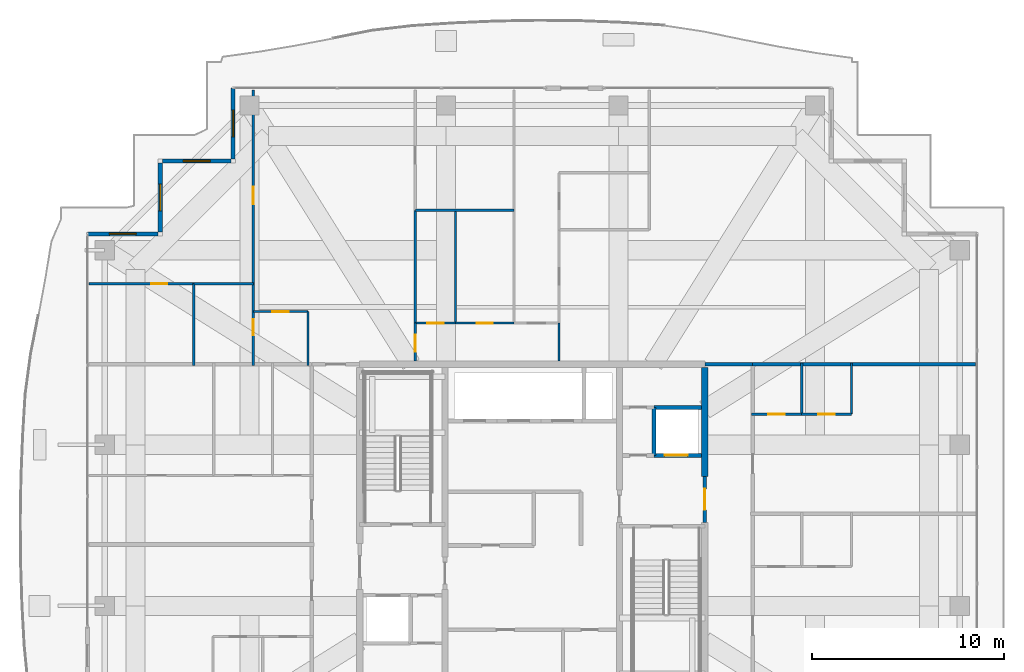
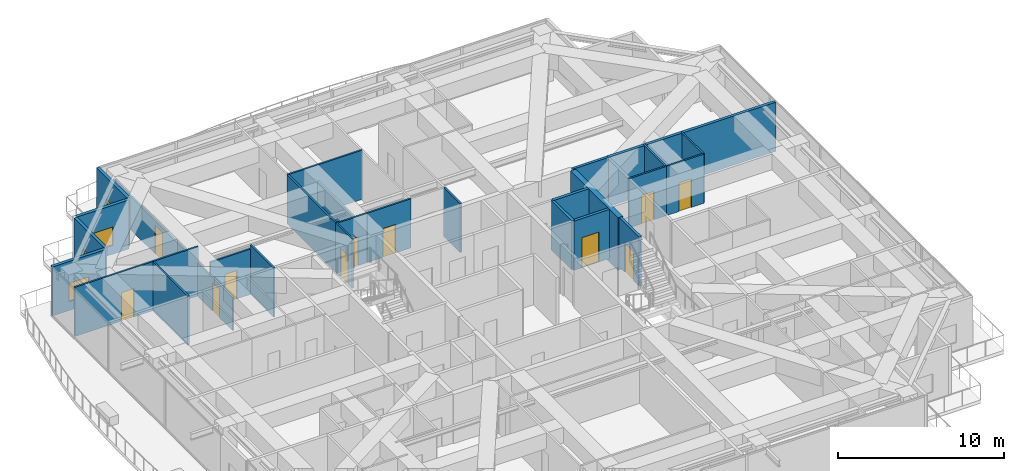
# One storey, part 32 of 40: 29 walls, 11 doors, 4 windows, 15 openings.
"""IFC4 building model written with IfcOpenShell, lengths in metres."""

from ifc_helpers import new_model, si_unit, direction, frame, frame_2d, origin, place, context, subcontext, project, spatial, rectangle, extrude, source, transform, mapped, material, layer, layer_set, type_object, element, fill, save


model = new_model("IFC4")

# Units and contexts
model_context = context("Model", 3, precision=1e-05, world=origin(), true_north=direction((0.0, 1.0)))
body_context = subcontext(model_context, "Body", "Model", "MODEL_VIEW")
ifc_project = project(units=[si_unit("LENGTHUNIT", "METRE"), si_unit("AREAUNIT", "SQUARE_METRE"), si_unit("VOLUMEUNIT", "CUBIC_METRE"), si_unit("PLANEANGLEUNIT", "RADIAN"), si_unit("MASSUNIT", "GRAM", prefix="KILO")], contexts=[model_context])

# Site, building, storey
site_placement = place(None, origin())
site = spatial("IfcSite", under=ifc_project, at=site_placement, CompositionType="ELEMENT")
building_placement = place(site_placement, origin())
building = spatial("IfcBuilding", under=site, at=building_placement, Name="Serunith Strait Residences", CompositionType="ELEMENT")
storey_placement = place(building_placement, frame((0.0, 0.0, 333.949951171875)))
storey = spatial("IfcBuildingStorey", under=building, at=storey_placement, Name="L83", CompositionType="ELEMENT", Elevation=333.949951171875)

# Wall, opening, window
ifc_material_1 = material(Name="Pale-Champagne Aluminium Insulated Panel", Category="aluminium")
ifc_layer_1 = layer(ifc_material_1, 0.219970703125, Name="Pale-Champagne Aluminium Insulated Panel")
ifc_layer_set_1 = layer_set([ifc_layer_1], Name="Pale-Champagne Aluminium Insulated Panel")
wall_type_1 = type_object("IfcWallType", Name="EW-ALUM-220", PredefinedType="ELEMENTEDWALL", material=ifc_layer_set_1)
wall_1_placement = place(storey_placement, frame((16.800048828125, 48.0, 0.0), z_axis=(0.0, 0.0, 1.0), x_axis=(0.0, -1.0, 0.0)))
wall_1 = element("IfcWall", 1, at=wall_1_placement, inside=storey, type_object=wall_type_1, Name="L83 Girih Serrated Corner Wall 12", PredefinedType="ELEMENTEDWALL", context=body_context, shape_type="SweptSolid", body=[
    extrude(rectangle(XDim=3.68994140625, YDim=0.219970703125, at=frame_2d((1.844970703125, 0.0))), origin(), (0.0, 0.0, 1.0), 3.594970703125),
])
opening_1_placement = place(wall_1_placement, frame((1.14501953125, 0.0, 0.64990234375)))
opening_1 = element("IfcOpeningElement", 2, at=opening_1_placement, cuts=wall_1, Name="Opening W-09", PredefinedType="OPENING", context=body_context, shape_type="SweptSolid", body=[
    extrude(rectangle(XDim=1.39990234375, YDim=1.35009765625, at=frame_2d((0.699951171875, 0.675048828125))), frame((0.0, 0.1201171875, 0.0), z_axis=(0.0, -1.0, 0.0), x_axis=(1.0, 0.0, 0.0)), (0.0, 0.0, 1.0), 0.239990234375),
])
ifc_material_2 = material(Name="Setback Spandrel Ceramic-Fritted Operable Window Glass", Category="glass")
window_type = type_object("IfcWindowType", Name="WIN-C7", PartitioningType="DOUBLE_PANEL_VERTICAL", PredefinedType="WINDOW", material=ifc_material_2)
shared_shape_1 = source(origin(), body_context, "Body", "SweptSolid", [
    extrude(rectangle(XDim=1.39990234375, YDim=1.35009765625, at=frame_2d((0.699951171875, 0.675048828125))), frame((0.0, 0.030029296875, 0.0), z_axis=(0.0, -1.0, 0.0), x_axis=(1.0, 0.0, 0.0)), (0.0, 0.0, 1.0), 0.06005859375),
])
window_1_placement = place(opening_1_placement, origin())
window_1 = element("IfcWindow", 3, at=window_1_placement, inside=storey, type_object=window_type, Name="L83 Corner Operable Fritted Window 12", OverallHeight=1.35009765625, OverallWidth=1.39990234375, PartitioningType="SINGLE_PANEL", PredefinedType="WINDOW", context=body_context, shape_type="MappedRepresentation", body=[
    mapped(shared_shape_1, transform((0.0, 0.0, 0.0), scale=1.0)),
])
fill(opening_1, window_1)

wall_2_placement = place(storey_placement, frame((16.68994140625, 44.199951171875, 0.0), z_axis=(0.0, 0.0, 1.0), x_axis=(-1.0, 0.0, 0.0)))
wall_2 = element("IfcWall", 4, at=wall_2_placement, inside=storey, type_object=wall_type_1, Name="L83 Girih Serrated Corner Wall 13", PredefinedType="ELEMENTEDWALL", context=body_context, shape_type="SweptSolid", body=[
    extrude(rectangle(XDim=3.579833984375, YDim=0.219970703125, at=frame_2d((1.7900390625, 0.0))), origin(), (0.0, 0.0, 1.0), 3.594970703125),
])
opening_2_placement = place(wall_2_placement, frame((1.090087890625, 0.0, 0.64990234375)))
opening_2 = element("IfcOpeningElement", 5, at=opening_2_placement, cuts=wall_2, Name="Opening W-09", PredefinedType="OPENING", context=body_context, shape_type="SweptSolid", body=[
    extrude(rectangle(XDim=1.39990234375, YDim=1.35009765625, at=frame_2d((0.699951171875, 0.675048828125))), frame((0.0, 0.1201171875, 0.0), z_axis=(0.0, -1.0, 0.0), x_axis=(1.0, 0.0, 0.0)), (0.0, 0.0, 1.0), 0.239990234375),
])
window_2_placement = place(opening_2_placement, origin())
window_2 = element("IfcWindow", 6, at=window_2_placement, inside=storey, type_object=window_type, Name="L83 Corner Operable Fritted Window 13", OverallHeight=1.35009765625, OverallWidth=1.39990234375, PartitioningType="SINGLE_PANEL", PredefinedType="WINDOW", context=body_context, shape_type="MappedRepresentation", body=[
    mapped(shared_shape_1, transform((0.0, 0.0, 0.0), scale=1.0)),
])
fill(opening_2, window_2)

wall_3_placement = place(storey_placement, frame((13.0, 44.090087890625, 0.0), z_axis=(0.0, 0.0, 1.0), x_axis=(0.0, -1.0, 0.0)))
wall_3 = element("IfcWall", 7, at=wall_3_placement, inside=storey, type_object=wall_type_1, Name="L83 Girih Serrated Corner Wall 14", PredefinedType="ELEMENTEDWALL", context=body_context, shape_type="SweptSolid", body=[
    extrude(rectangle(XDim=3.580078125, YDim=0.219970703125, at=frame_2d((1.7900390625, 0.0))), origin(), (0.0, 0.0, 1.0), 3.594970703125),
])
opening_3_placement = place(wall_3_placement, frame((1.090087890625, 0.0, 0.64990234375)))
opening_3 = element("IfcOpeningElement", 8, at=opening_3_placement, cuts=wall_3, Name="Opening W-09", PredefinedType="OPENING", context=body_context, shape_type="SweptSolid", body=[
    extrude(rectangle(XDim=1.39990234375, YDim=1.35009765625, at=frame_2d((0.699951171875, 0.675048828125))), frame((0.0, 0.1201171875, 0.0), z_axis=(0.0, -1.0, 0.0), x_axis=(1.0, 0.0, 0.0)), (0.0, 0.0, 1.0), 0.239990234375),
])
window_3_placement = place(opening_3_placement, origin())
window_3 = element("IfcWindow", 9, at=window_3_placement, inside=storey, type_object=window_type, Name="L83 Corner Operable Fritted Window 14", OverallHeight=1.35009765625, OverallWidth=1.39990234375, PartitioningType="SINGLE_PANEL", PredefinedType="WINDOW", context=body_context, shape_type="MappedRepresentation", body=[
    mapped(shared_shape_1, transform((0.0, 0.0, 0.0), scale=1.0)),
])
fill(opening_3, window_3)

wall_4_placement = place(storey_placement, frame((12.889892578125, 40.39990234375, 0.0), z_axis=(0.0, 0.0, 1.0), x_axis=(-1.0, 0.0, 0.0)))
wall_4 = element("IfcWall", 10, at=wall_4_placement, inside=storey, type_object=wall_type_1, Name="L83 Girih Serrated Corner Wall 15", PredefinedType="ELEMENTEDWALL", context=body_context, shape_type="SweptSolid", body=[
    extrude(rectangle(XDim=3.68994140625, YDim=0.219970703125, at=frame_2d((1.844970703125, 0.0))), origin(), (0.0, 0.0, 1.0), 3.594970703125),
])
opening_4_placement = place(wall_4_placement, frame((1.14501953125, 0.0, 0.64990234375)))
opening_4 = element("IfcOpeningElement", 11, at=opening_4_placement, cuts=wall_4, Name="Opening W-09", PredefinedType="OPENING", context=body_context, shape_type="SweptSolid", body=[
    extrude(rectangle(XDim=1.39990234375, YDim=1.35009765625, at=frame_2d((0.699951171875, 0.675048828125))), frame((0.0, 0.1201171875, 0.0), z_axis=(0.0, -1.0, 0.0), x_axis=(1.0, 0.0, 0.0)), (0.0, 0.0, 1.0), 0.239990234375),
])
window_4_placement = place(opening_4_placement, origin())
window_4 = element("IfcWindow", 12, at=window_4_placement, inside=storey, type_object=window_type, Name="L83 Corner Operable Fritted Window 15", OverallHeight=1.35009765625, OverallWidth=1.39990234375, PartitioningType="SINGLE_PANEL", PredefinedType="WINDOW", context=body_context, shape_type="MappedRepresentation", body=[
    mapped(shared_shape_1, transform((0.0, 0.0, 0.0), scale=1.0)),
])
fill(opening_4, window_4)

# Wall
ifc_material_3 = material(Name="Fire-rated acoustic gypsum partition")
ifc_layer_2 = layer(ifc_material_3, 0.179931640625, Name="Fire-rated acoustic gypsum partition")
ifc_layer_set_2 = layer_set([ifc_layer_2], Name="Fire-rated acoustic gypsum partition")
wall_type_2 = type_object("IfcWallType", Name="IW-CORR-180", PredefinedType="PARTITIONING", material=ifc_layer_set_2)
wall_5_placement = place(storey_placement, frame((41.402099609375, 33.60009765625, 0.0), z_axis=(0.0, 0.0, 1.0), x_axis=(1.0, 0.0, 0.0)))
element("IfcWall", 13, at=wall_5_placement, inside=storey, type_object=wall_type_2, Name="L83 Partition Wall 031", PredefinedType="PARTITIONING", context=body_context, shape_type="SweptSolid", body=[
    extrude(rectangle(XDim=2.495849609375, YDim=0.179931640625, at=frame_2d((1.248046875, 0.0))), origin(), (0.0, 0.0, 1.0), 3.610107421875),
])

# Wall, opening, door
ifc_material_4 = material(Name="Lightweight steel-stud gypsum partition", Category="steel")
ifc_layer_3 = layer(ifc_material_4, 0.1201171875, Name="Lightweight steel-stud gypsum partition")
ifc_layer_set_3 = layer_set([ifc_layer_3], Name="Lightweight steel-stud gypsum partition")
wall_type_3 = type_object("IfcWallType", Name="IW-PART-120", PredefinedType="PARTITIONING", material=ifc_layer_set_3)
wall_6_placement = place(storey_placement, frame((17.85009765625, 36.35009765625, 0.0), z_axis=(0.0, 0.0, 1.0), x_axis=(1.0, 0.0, 0.0)))
wall_6 = element("IfcWall", 14, at=wall_6_placement, inside=storey, type_object=wall_type_3, Name="L83 Partition Wall 058", PredefinedType="PARTITIONING", context=body_context, shape_type="SweptSolid", body=[
    extrude(rectangle(XDim=2.849853515625, YDim=0.1201171875, at=frame_2d((1.4248046875, 0.0))), origin(), (0.0, 0.0, 1.0), 3.33203125),
])
opening_5_placement = place(wall_6_placement, frame((1.0, 0.0, 0.0)))
opening_5 = element("IfcOpeningElement", 15, at=opening_5_placement, cuts=wall_6, Name="Opening D-RM850", PredefinedType="OPENING", context=body_context, shape_type="SweptSolid", body=[
    extrude(rectangle(XDim=0.85009765625, YDim=2.10009765625, at=frame_2d((0.425048828125, 1.050048828125))), frame((0.0, 0.070068359375, 0.0), z_axis=(0.0, -1.0, 0.0), x_axis=(1.0, 0.0, 0.0)), (0.0, 0.0, 1.0), 0.14013671875),
])
ifc_material_5 = material(Name="Engineered timber flush study and kitchen door", Category="wood")
door_type_1 = type_object("IfcDoorType", Name="ID-ROOM-850", OperationType="NOTDEFINED", PredefinedType="DOOR", material=ifc_material_5)
shared_shape_2 = source(origin(), body_context, "Body", "SweptSolid", [
    extrude(rectangle(XDim=0.85009765625, YDim=2.10009765625, at=frame_2d((0.425048828125, 1.050048828125))), frame((0.0, 0.02490234375, 0.0), z_axis=(0.0, -1.0, 0.0), x_axis=(1.0, 0.0, 0.0)), (0.0, 0.0, 1.0), 0.050048828125),
])
door_1_placement = place(opening_5_placement, origin())
door_1 = element("IfcDoor", 16, at=door_1_placement, inside=storey, type_object=door_type_1, Name="L83 Kitchen 8303 Door", OperationType="SINGLE_SWING_RIGHT", OverallHeight=2.10009765625, OverallWidth=0.85009765625, PredefinedType="DOOR", context=body_context, shape_type="MappedRepresentation", body=[
    mapped(shared_shape_2, transform((0.0, 0.0, 0.0), scale=1.0)),
])
fill(opening_5, door_1)

# Wall
wall_7_placement = place(storey_placement, frame((20.699951171875, 36.35009765625, 0.0), z_axis=(0.0, 0.0, 1.0), x_axis=(0.0, -1.0, 0.0)))
element("IfcWall", 17, at=wall_7_placement, inside=storey, type_object=wall_type_3, Name="L83 Partition Wall 059", PredefinedType="PARTITIONING", context=body_context, shape_type="SweptSolid", body=[
    extrude(rectangle(XDim=2.81005859375, YDim=0.1201171875, at=frame_2d((1.405029296875, 0.0))), origin(), (0.0, 0.0, 1.0), 3.610107421875),
])

# Wall, opening, door
wall_8_placement = place(storey_placement, frame((17.85009765625, 47.905029296875, 0.0), z_axis=(0.0, 0.0, 1.0), x_axis=(0.0, -1.0, 0.0)))
wall_8 = element("IfcWall", 18, at=wall_8_placement, inside=storey, type_object=wall_type_3, Name="L83 Partition Wall 060", PredefinedType="PARTITIONING", context=body_context, shape_type="SweptSolid", body=[
    extrude(rectangle(XDim=10.09814453125, YDim=0.1201171875, at=frame_2d((5.049072265625, 0.0))), origin(), (0.0, 0.0, 1.0), 2.445068359375),
])
opening_6_placement = place(wall_8_placement, frame((5.05908203125, 0.0, 0.0)))
opening_6 = element("IfcOpeningElement", 19, at=opening_6_placement, cuts=wall_8, Name="Opening D-RM900", PredefinedType="OPENING", context=body_context, shape_type="SweptSolid", body=[
    extrude(rectangle(XDim=0.89990234375, YDim=2.10009765625, at=frame_2d((0.449951171875, 1.050048828125))), frame((0.0, 0.070068359375, 0.0), z_axis=(0.0, -1.0, 0.0), x_axis=(1.0, 0.0, 0.0)), (0.0, 0.0, 1.0), 0.14013671875),
])
ifc_material_6 = material(Name="Engineered timber flush bedroom door", Category="wood")
door_type_2 = type_object("IfcDoorType", Name="ID-ROOM-900", OperationType="NOTDEFINED", PredefinedType="DOOR", material=ifc_material_6)
shared_shape_3 = source(origin(), body_context, "Body", "SweptSolid", [
    extrude(rectangle(XDim=0.89990234375, YDim=2.10009765625, at=frame_2d((0.449951171875, 1.050048828125))), frame((0.0, 0.02490234375, 0.0), z_axis=(0.0, -1.0, 0.0), x_axis=(1.0, 0.0, 0.0)), (0.0, 0.0, 1.0), 0.050048828125),
])
door_2_placement = place(opening_6_placement, origin())
door_2 = element("IfcDoor", 20, at=door_2_placement, inside=storey, type_object=door_type_2, Name="L83 Master Bedroom 1 8303 Door", OperationType="SINGLE_SWING_LEFT", OverallHeight=2.10009765625, OverallWidth=0.89990234375, PredefinedType="DOOR", context=body_context, shape_type="MappedRepresentation", body=[
    mapped(shared_shape_3, transform((0.0, 0.0, 0.0), scale=1.0)),
])
fill(opening_6, door_2)

wall_9_placement = place(storey_placement, frame((9.294921875, 37.806884765625, 0.0), z_axis=(0.0, 0.0, 1.0), x_axis=(1.0, 0.0, 0.0)))
wall_9 = element("IfcWall", 21, at=wall_9_placement, inside=storey, type_object=wall_type_3, Name="L83 Partition Wall 061", PredefinedType="PARTITIONING", context=body_context, shape_type="SweptSolid", body=[
    extrude(rectangle(XDim=5.455078125, YDim=0.1201171875, at=frame_2d((2.7275390625, 0.0))), origin(), (0.0, 0.0, 1.0), 3.610107421875),
])
opening_7_placement = place(wall_9_placement, frame((3.22412109375, 0.0, 0.0)))
opening_7 = element("IfcOpeningElement", 22, at=opening_7_placement, cuts=wall_9, Name="Opening D-RM850", PredefinedType="OPENING", context=body_context, shape_type="SweptSolid", body=[
    extrude(rectangle(XDim=0.85009765625, YDim=2.10009765625, at=frame_2d((0.425048828125, 1.050048828125))), frame((0.0, 0.070068359375, 0.0), z_axis=(0.0, -1.0, 0.0), x_axis=(1.0, 0.0, 0.0)), (0.0, 0.0, 1.0), 0.14013671875),
])
door_3_placement = place(opening_7_placement, origin())
door_3 = element("IfcDoor", 23, at=door_3_placement, inside=storey, type_object=door_type_1, Name="L83 Wardrobe 8303 Door", OperationType="SINGLE_SWING_RIGHT", OverallHeight=2.10009765625, OverallWidth=0.85009765625, PredefinedType="DOOR", context=body_context, shape_type="MappedRepresentation", body=[
    mapped(shared_shape_2, transform((0.0, 0.0, 0.0), scale=1.0)),
])
fill(opening_7, door_3)

# Walls
wall_10_placement = place(storey_placement, frame((14.751953125, 37.806884765625, 0.0), z_axis=(0.0, 0.0, 1.0), x_axis=(1.0, 0.0, 0.0)))
element("IfcWall", 24, at=wall_10_placement, inside=storey, type_object=wall_type_3, Name="L83 Partition Wall 062", PredefinedType="PARTITIONING", context=body_context, shape_type="SweptSolid", body=[
    extrude(rectangle(XDim=3.09814453125, YDim=0.1201171875, at=frame_2d((1.549072265625, 0.0))), origin(), (0.0, 0.0, 1.0), 3.610107421875),
])
wall_11_placement = place(storey_placement, frame((14.75, 37.806884765625, 0.0), z_axis=(0.0, 0.0, 1.0), x_axis=(0.0, -1.0, 0.0)))
element("IfcWall", 25, at=wall_11_placement, inside=storey, type_object=wall_type_3, Name="L83 Partition Wall 063", PredefinedType="PARTITIONING", context=body_context, shape_type="SweptSolid", body=[
    extrude(rectangle(XDim=4.266845703125, YDim=0.1201171875, at=frame_2d((2.13330078125, 0.0))), origin(), (0.0, 0.0, 1.0), 3.610107421875),
])

# Wall, opening, door
wall_12_placement = place(storey_placement, frame((17.85009765625, 37.804931640625, 0.0), z_axis=(0.0, 0.0, 1.0), x_axis=(0.0, -1.0, 0.0)))
wall_12 = element("IfcWall", 26, at=wall_12_placement, inside=storey, type_object=wall_type_3, Name="L83 Partition Wall 064", PredefinedType="PARTITIONING", context=body_context, shape_type="SweptSolid", body=[
    extrude(rectangle(XDim=4.264892578125, YDim=0.1201171875, at=frame_2d((2.13232421875, 0.0))), origin(), (0.0, 0.0, 1.0), 2.445068359375),
])
opening_8_placement = place(wall_12_placement, frame((1.847900390625, 0.0, 0.0)))
opening_8 = element("IfcOpeningElement", 27, at=opening_8_placement, cuts=wall_12, Name="Opening D-BTH850", PredefinedType="OPENING", context=body_context, shape_type="SweptSolid", body=[
    extrude(rectangle(XDim=0.85009765625, YDim=2.10009765625, at=frame_2d((0.425048828125, 1.050048828125))), frame((0.0, 0.070068359375, 0.0), z_axis=(0.0, -1.0, 0.0), x_axis=(1.0, 0.0, 0.0)), (0.0, 0.0, 1.0), 0.14013671875),
])
ifc_material_7 = material(Name="Moisture-resistant timber bathroom door", Category="wood")
door_type_3 = type_object("IfcDoorType", Name="ID-BATH-850", OperationType="NOTDEFINED", PredefinedType="DOOR", material=ifc_material_7)
door_4_placement = place(opening_8_placement, origin())
door_4 = element("IfcDoor", 28, at=door_4_placement, inside=storey, type_object=door_type_3, Name="L83 Bathroom 8303 Door", OperationType="SINGLE_SWING_LEFT", OverallHeight=2.10009765625, OverallWidth=0.85009765625, PredefinedType="DOOR", context=body_context, shape_type="MappedRepresentation", body=[
    mapped(shared_shape_2, transform((0.0, 0.0, 0.0), scale=1.0)),
])
fill(opening_8, door_4)

wall_13_placement = place(storey_placement, frame((26.300048828125, 35.75, 0.0), z_axis=(0.0, 0.0, 1.0), x_axis=(0.0, -1.0, 0.0)))
wall_13 = element("IfcWall", 29, at=wall_13_placement, inside=storey, type_object=wall_type_3, Name="L83 Partition Wall 065", PredefinedType="PARTITIONING", context=body_context, shape_type="SweptSolid", body=[
    extrude(rectangle(XDim=1.97509765625, YDim=0.1201171875, at=frame_2d((0.987548828125, 0.0))), origin(), (0.0, 0.0, 1.0), 3.610107421875),
])
opening_9_placement = place(wall_13_placement, frame((0.60107421875, 0.0, 0.0)))
opening_9 = element("IfcOpeningElement", 30, at=opening_9_placement, cuts=wall_13, Name="Opening D-RM900", PredefinedType="OPENING", context=body_context, shape_type="SweptSolid", body=[
    extrude(rectangle(XDim=0.89990234375, YDim=2.10009765625, at=frame_2d((0.449951171875, 1.050048828125))), frame((0.0, 0.070068359375, 0.0), z_axis=(0.0, -1.0, 0.0), x_axis=(1.0, 0.0, 0.0)), (0.0, 0.0, 1.0), 0.14013671875),
])
door_5_placement = place(opening_9_placement, origin())
door_5 = element("IfcDoor", 31, at=door_5_placement, inside=storey, type_object=door_type_2, Name="L83 Hall E 8303 Door", OperationType="SINGLE_SWING_RIGHT", OverallHeight=2.10009765625, OverallWidth=0.89990234375, PredefinedType="DOOR", context=body_context, shape_type="MappedRepresentation", body=[
    mapped(shared_shape_3, transform((0.0, 0.0, 0.0), scale=1.0)),
])
fill(opening_9, door_5)

# Walls
wall_14_placement = place(storey_placement, frame((26.300048828125, 41.6279296875, 0.0), z_axis=(0.0, 0.0, 1.0), x_axis=(0.0, -1.0, 0.0)))
element("IfcWall", 32, at=wall_14_placement, inside=storey, type_object=wall_type_3, Name="L83 Partition Wall 067", PredefinedType="PARTITIONING", context=body_context, shape_type="SweptSolid", body=[
    extrude(rectangle(XDim=5.8759765625, YDim=0.1201171875, at=frame_2d((2.93798828125, 0.0))), origin(), (0.0, 0.0, 1.0), 3.610107421875),
])
wall_15_placement = place(storey_placement, frame((26.300048828125, 41.6298828125, 0.0), z_axis=(0.0, 0.0, 1.0), x_axis=(1.0, 0.0, 0.0)))
element("IfcWall", 33, at=wall_15_placement, inside=storey, type_object=wall_type_3, Name="L83 Partition Wall 068", PredefinedType="PARTITIONING", context=body_context, shape_type="SweptSolid", body=[
    extrude(rectangle(XDim=5.14990234375, YDim=0.1201171875, at=frame_2d((2.574951171875, 0.0))), origin(), (0.0, 0.0, 1.0), 3.610107421875),
])
wall_16_placement = place(storey_placement, frame((28.39990234375, 41.6298828125, 0.0), z_axis=(0.0, 0.0, 1.0), x_axis=(0.0, -1.0, 0.0)))
element("IfcWall", 34, at=wall_16_placement, inside=storey, type_object=wall_type_3, Name="L83 Partition Wall 070", PredefinedType="PARTITIONING", context=body_context, shape_type="SweptSolid", body=[
    extrude(rectangle(XDim=5.8798828125, YDim=0.1201171875, at=frame_2d((2.93994140625, 0.0))), origin(), (0.0, 0.0, 1.0), 2.445068359375),
])

# Wall, opening, door
wall_17_placement = place(storey_placement, frame((26.300048828125, 35.75, 0.0), z_axis=(0.0, 0.0, 1.0), x_axis=(1.0, 0.0, 0.0)))
wall_17 = element("IfcWall", 35, at=wall_17_placement, inside=storey, type_object=wall_type_3, Name="L83 Partition Wall 071", PredefinedType="PARTITIONING", context=body_context, shape_type="SweptSolid", body=[
    extrude(rectangle(XDim=2.099853515625, YDim=0.1201171875, at=frame_2d((1.0498046875, 0.0))), origin(), (0.0, 0.0, 1.0), 3.610107421875),
])
opening_10_placement = place(wall_17_placement, frame((0.625, 0.0, 0.0)))
opening_10 = element("IfcOpeningElement", 36, at=opening_10_placement, cuts=wall_17, Name="Opening D-RM850", PredefinedType="OPENING", context=body_context, shape_type="SweptSolid", body=[
    extrude(rectangle(XDim=0.85009765625, YDim=2.10009765625, at=frame_2d((0.425048828125, 1.050048828125))), frame((0.0, 0.070068359375, 0.0), z_axis=(0.0, -1.0, 0.0), x_axis=(1.0, 0.0, 0.0)), (0.0, 0.0, 1.0), 0.14013671875),
])
door_6_placement = place(opening_10_placement, origin())
door_6 = element("IfcDoor", 37, at=door_6_placement, inside=storey, type_object=door_type_1, Name="L83 Study 8303 Door", OperationType="SINGLE_SWING_RIGHT", OverallHeight=2.10009765625, OverallWidth=0.85009765625, PredefinedType="DOOR", context=body_context, shape_type="MappedRepresentation", body=[
    mapped(shared_shape_2, transform((0.0, 0.0, 0.0), scale=1.0)),
])
fill(opening_10, door_6)

wall_18_placement = place(storey_placement, frame((28.402099609375, 35.75, 0.0), z_axis=(0.0, 0.0, 1.0), x_axis=(1.0, 0.0, 0.0)))
wall_18 = element("IfcWall", 38, at=wall_18_placement, inside=storey, type_object=wall_type_3, Name="L83 Partition Wall 072", PredefinedType="PARTITIONING", context=body_context, shape_type="SweptSolid", body=[
    extrude(rectangle(XDim=3.0478515625, YDim=0.1201171875, at=frame_2d((1.52392578125, 0.0))), origin(), (0.0, 0.0, 1.0), 3.610107421875),
])
opening_11_placement = place(wall_18_placement, frame((1.09912109375, 0.0, 0.0)))
opening_11 = element("IfcOpeningElement", 39, at=opening_11_placement, cuts=wall_18, Name="Opening D-RM850", PredefinedType="OPENING", context=body_context, shape_type="SweptSolid", body=[
    extrude(rectangle(XDim=0.85009765625, YDim=2.10009765625, at=frame_2d((0.425048828125, 1.050048828125))), frame((0.0, 0.070068359375, 0.0), z_axis=(0.0, -1.0, 0.0), x_axis=(1.0, 0.0, 0.0)), (0.0, 0.0, 1.0), 0.14013671875),
])
door_7_placement = place(opening_11_placement, origin())
door_7 = element("IfcDoor", 40, at=door_7_placement, inside=storey, type_object=door_type_1, Name="L83 Formal Dining Room 8303 Door", OperationType="SINGLE_SWING_LEFT", OverallHeight=2.10009765625, OverallWidth=0.85009765625, PredefinedType="DOOR", context=body_context, shape_type="MappedRepresentation", body=[
    mapped(shared_shape_2, transform((0.0, 0.0, 0.0), scale=1.0)),
])
fill(opening_11, door_7)

# Wall
wall_19_placement = place(storey_placement, frame((33.800048828125, 35.748046875, 0.0), z_axis=(0.0, 0.0, 1.0), x_axis=(0.0, -1.0, 0.0)))
element("IfcWall", 41, at=wall_19_placement, inside=storey, type_object=wall_type_3, Name="L83 Partition Wall 079", PredefinedType="PARTITIONING", context=body_context, shape_type="SweptSolid", body=[
    extrude(rectangle(XDim=1.97314453125, YDim=0.1201171875, at=frame_2d((0.986572265625, 0.0))), origin(), (0.0, 0.0, 1.0), 3.610107421875),
])

# Wall, opening, door
wall_20_placement = place(storey_placement, frame((49.050048828125, 31.0, 0.0), z_axis=(0.0, 0.0, 1.0), x_axis=(-1.0, 0.0, 0.0)))
wall_20 = element("IfcWall", 42, at=wall_20_placement, inside=storey, type_object=wall_type_3, Name="L83 Partition Wall 093", PredefinedType="PARTITIONING", context=body_context, shape_type="SweptSolid", body=[
    extrude(rectangle(XDim=2.60009765625, YDim=0.1201171875, at=frame_2d((1.300048828125, 0.0))), origin(), (0.0, 0.0, 1.0), 3.610107421875),
])
opening_12_placement = place(wall_20_placement, frame((0.875, 0.0, 0.0)))
opening_12 = element("IfcOpeningElement", 43, at=opening_12_placement, cuts=wall_20, Name="Opening D-RM850", PredefinedType="OPENING", context=body_context, shape_type="SweptSolid", body=[
    extrude(rectangle(XDim=0.85009765625, YDim=2.10009765625, at=frame_2d((0.425048828125, 1.050048828125))), frame((0.0, 0.070068359375, 0.0), z_axis=(0.0, -1.0, 0.0), x_axis=(1.0, 0.0, 0.0)), (0.0, 0.0, 1.0), 0.14013671875),
])
door_8_placement = place(opening_12_placement, origin())
door_8 = element("IfcDoor", 44, at=door_8_placement, inside=storey, type_object=door_type_1, Name="L83 Kitchen 8307 Door", OperationType="SINGLE_SWING_RIGHT", OverallHeight=2.10009765625, OverallWidth=0.85009765625, PredefinedType="DOOR", context=body_context, shape_type="MappedRepresentation", body=[
    mapped(shared_shape_2, transform((0.0, 0.0, 0.0), scale=1.0)),
])
fill(opening_12, door_8)

wall_21_placement = place(storey_placement, frame((46.447998046875, 31.0, 0.0), z_axis=(0.0, 0.0, 1.0), x_axis=(-1.0, 0.0, 0.0)))
wall_21 = element("IfcWall", 45, at=wall_21_placement, inside=storey, type_object=wall_type_3, Name="L83 Partition Wall 094", PredefinedType="PARTITIONING", context=body_context, shape_type="SweptSolid", body=[
    extrude(rectangle(XDim=2.60791015625, YDim=0.1201171875, at=frame_2d((1.303955078125, 0.0))), origin(), (0.0, 0.0, 1.0), 3.610107421875),
])
opening_13_placement = place(wall_21_placement, frame((0.87890625, 0.0, 0.0)))
opening_13 = element("IfcOpeningElement", 46, at=opening_13_placement, cuts=wall_21, Name="Opening D-BTH850", PredefinedType="OPENING", context=body_context, shape_type="SweptSolid", body=[
    extrude(rectangle(XDim=0.85009765625, YDim=2.10009765625, at=frame_2d((0.425048828125, 1.050048828125))), frame((0.0, 0.070068359375, 0.0), z_axis=(0.0, -1.0, 0.0), x_axis=(1.0, 0.0, 0.0)), (0.0, 0.0, 1.0), 0.14013671875),
])
door_9_placement = place(opening_13_placement, origin())
door_9 = element("IfcDoor", 47, at=door_9_placement, inside=storey, type_object=door_type_3, Name="L83 Bathroom 8307 Door", OperationType="SINGLE_SWING_LEFT", OverallHeight=2.10009765625, OverallWidth=0.85009765625, PredefinedType="DOOR", context=body_context, shape_type="MappedRepresentation", body=[
    mapped(shared_shape_2, transform((0.0, 0.0, 0.0), scale=1.0)),
])
fill(opening_13, door_9)

# Walls
for number, where, z_axis, x_axis, name in (
    (48, (46.449951171875, 31.0, 0.0), (0.0, 0.0, 1.0), (0.0, 1.0, 0.0), "L83 Partition Wall 095"),
    (49, (49.050048828125, 31.0, 0.0), (0.0, 0.0, 1.0), (0.0, 1.0, 0.0), "L83 Partition Wall 096"),
):
    element("IfcWall", number, at=place(storey_placement, frame(where, z_axis=z_axis, x_axis=x_axis)), inside=storey, type_object=wall_type_3, Name=name, PredefinedType="PARTITIONING", context=body_context, shape_type="SweptSolid", body=[
        extrude(rectangle(XDim=2.659912109375, YDim=0.1201171875, at=frame_2d((1.330078125, 0.0))), origin(), (0.0, 0.0, 1.0), 3.610107421875),
    ])
ifc_material_8 = material(Name="Twin-stud acoustic gypsum board partition")
ifc_layer_4 = layer(ifc_material_8, 0.199951171875, Name="Twin-stud acoustic gypsum board partition")
ifc_layer_set_4 = layer_set([ifc_layer_4], Name="Twin-stud acoustic gypsum board partition")
wall_type_4 = type_object("IfcWallType", Name="IW-PARTY-200", PredefinedType="PARTITIONING", material=ifc_layer_set_4)
wall_22_placement = place(storey_placement, frame((43.89990234375, 33.60009765625, 0.0), z_axis=(0.0, 0.0, 1.0), x_axis=(1.0, 0.0, 0.0)))
element("IfcWall", 50, at=wall_22_placement, inside=storey, type_object=wall_type_4, Name="L83 Partition Wall 026", PredefinedType="PARTITIONING", context=body_context, shape_type="SweptSolid", body=[
    extrude(rectangle(XDim=11.6181640625, YDim=0.199951171875, at=frame_2d((5.80908203125, 0.0))), origin(), (0.0, 0.0, 1.0), 3.610107421875),
])

# Wall, opening, door
ifc_material_9 = material(Name="Autoclaved aerated concrete blockwork", Category="masonry")
ifc_layer_5 = layer(ifc_material_9, 0.199951171875, Name="Autoclaved aerated concrete blockwork")
ifc_layer_set_5 = layer_set([ifc_layer_5], Name="Autoclaved aerated concrete blockwork")
wall_type_5 = type_object("IfcWallType", Name="IW-SHAFT-200", PredefinedType="STANDARD", material=ifc_layer_set_5)
wall_23_placement = place(storey_placement, frame((38.75, 28.85009765625, 0.0), z_axis=(0.0, 0.0, 1.0), x_axis=(1.0, 0.0, 0.0)))
wall_23 = element("IfcWall", 51, at=wall_23_placement, inside=storey, type_object=wall_type_5, Name="L83 FL-2 South Shaft Wall", PredefinedType="STANDARD", context=body_context, shape_type="SweptSolid", body=[
    extrude(rectangle(XDim=2.47509765625, YDim=0.199951171875, at=frame_2d((1.237548828125, 0.0))), origin(), (0.0, 0.0, 1.0), 3.610107421875),
])
opening_14_placement = place(wall_23_placement, frame((0.550048828125, 0.0, 0.0)))
opening_14 = element("IfcOpeningElement", 52, at=opening_14_placement, cuts=wall_23, Name="Opening LD-FF1200", PredefinedType="OPENING", context=body_context, shape_type="SweptSolid", body=[
    extrude(rectangle(XDim=1.199951171875, YDim=2.199951171875, at=frame_2d((0.60009765625, 1.10009765625))), frame((0.0, 0.10986328125, 0.0), z_axis=(0.0, -1.0, 0.0), x_axis=(1.0, 0.0, 0.0)), (0.0, 0.0, 1.0), 0.219970703125),
])
ifc_material_10 = material(Name="Brushed stainless steel landing door", Category="steel")
door_type_4 = type_object("IfcDoorType", Name="LD-FF-1200", OperationType="DOUBLE_DOOR_SLIDING", PredefinedType="DOOR", material=ifc_material_10)
shared_shape_4 = source(origin(), body_context, "Body", "SweptSolid", [
    extrude(rectangle(XDim=1.199951171875, YDim=2.199951171875, at=frame_2d((0.60009765625, 1.10009765625))), frame((0.0, 0.02490234375, 0.0), z_axis=(0.0, -1.0, 0.0), x_axis=(1.0, 0.0, 0.0)), (0.0, 0.0, 1.0), 0.050048828125),
])
door_10_placement = place(opening_14_placement, origin())
door_10 = element("IfcDoor", 53, at=door_10_placement, inside=storey, type_object=door_type_4, Name="L83 FL-2 Landing Door", OperationType="DOUBLE_DOOR_SLIDING", OverallHeight=2.199951171875, OverallWidth=1.199951171875, PredefinedType="DOOR", context=body_context, shape_type="MappedRepresentation", body=[
    mapped(shared_shape_4, transform((0.0, 0.0, 0.0), scale=1.0)),
])
fill(opening_14, door_10)

# Walls
wall_24_placement = place(storey_placement, frame((38.75, 28.85009765625, 0.0), z_axis=(0.0, 0.0, 1.0), x_axis=(0.0, 1.0, 0.0)))
element("IfcWall", 54, at=wall_24_placement, inside=storey, type_object=wall_type_5, Name="L83 Partition Wall 004", PredefinedType="STANDARD", context=body_context, shape_type="SweptSolid", body=[
    extrude(rectangle(XDim=2.5, YDim=0.199951171875, at=frame_2d((1.25, 0.0))), origin(), (0.0, 0.0, 1.0), 3.610107421875),
])
wall_25_placement = place(storey_placement, frame((38.75, 31.35009765625, 0.0), z_axis=(0.0, 0.0, 1.0), x_axis=(1.0, 0.0, 0.0)))
element("IfcWall", 55, at=wall_25_placement, inside=storey, type_object=wall_type_5, Name="L83 Partition Wall 005", PredefinedType="STANDARD", context=body_context, shape_type="SweptSolid", body=[
    extrude(rectangle(XDim=2.47509765625, YDim=0.199951171875, at=frame_2d((1.237548828125, 0.0))), origin(), (0.0, 0.0, 1.0), 3.610107421875),
])

# Wall, opening, door
wall_26_placement = place(storey_placement, frame((41.39990234375, 25.35205078125, 0.0), z_axis=(0.0, 0.0, 1.0), x_axis=(0.0, 1.0, 0.0)))
wall_26 = element("IfcWall", 56, at=wall_26_placement, inside=storey, type_object=wall_type_5, Name="L83 Partition Wall 008", PredefinedType="STANDARD", context=body_context, shape_type="SweptSolid", body=[
    extrude(rectangle(XDim=2.39599609375, YDim=0.199951171875, at=frame_2d((1.197998046875, 0.0))), origin(), (0.0, 0.0, 1.0), 3.610107421875),
])
opening_15_placement = place(wall_26_placement, frame((0.64794921875, 0.0, 0.0)))
opening_15 = element("IfcOpeningElement", 57, at=opening_15_placement, cuts=wall_26, Name="Opening FD-FFL", PredefinedType="OPENING", context=body_context, shape_type="SweptSolid", body=[
    extrude(rectangle(XDim=1.10009765625, YDim=2.14990234375, at=frame_2d((0.550048828125, 1.074951171875))), frame((0.0, 0.10986328125, 0.0), z_axis=(0.0, -1.0, 0.0), x_axis=(1.0, 0.0, 0.0)), (0.0, 0.0, 1.0), 0.219970703125),
])
ifc_material_11 = material(Name="Glazed steel smoke-lobby fire door", Category="steel")
door_type_5 = type_object("IfcDoorType", Name="FD-FFL-1100", OperationType="NOTDEFINED", PredefinedType="DOOR", material=ifc_material_11)
shared_shape_5 = source(origin(), body_context, "Body", "SweptSolid", [
    extrude(rectangle(XDim=1.10009765625, YDim=2.14990234375, at=frame_2d((0.550048828125, 1.074951171875))), frame((0.0, 0.02490234375, 0.0), z_axis=(0.0, -1.0, 0.0), x_axis=(1.0, 0.0, 0.0)), (0.0, 0.0, 1.0), 0.050048828125),
])
door_11_placement = place(opening_15_placement, origin())
door_11 = element("IfcDoor", 58, at=door_11_placement, inside=storey, type_object=door_type_5, Name="L83 FFL-2 Corridor Fire Door", OperationType="SINGLE_SWING_LEFT", OverallHeight=2.14990234375, OverallWidth=1.10009765625, PredefinedType="DOOR", context=body_context, shape_type="MappedRepresentation", body=[
    mapped(shared_shape_5, transform((0.0, 0.0, 0.0), scale=1.0)),
])
fill(opening_15, door_11)

# Wall
ifc_material_12 = material(Name="Concrete C60/75", Category="concrete")
ifc_layer_6 = layer(ifc_material_12, 0.35009765625, Name="Concrete C60/75")
ifc_layer_set_6 = layer_set([ifc_layer_6], Name="Concrete C60/75")
wall_type_6 = type_object("IfcWallType", Name="SW-350-C60", PredefinedType="SHEAR", material=ifc_layer_set_6)
wall_27_placement = place(storey_placement, frame((41.39990234375, 27.75, -0.260009765625), z_axis=(0.0, 0.0, 1.0), x_axis=(0.0, 1.0, 0.0)))
element("IfcWall", 59, at=wall_27_placement, inside=storey, type_object=wall_type_6, Name="L83 Core East Shear Wall North Pier", PredefinedType="SHEAR", context=body_context, shape_type="SweptSolid", body=[
    extrude(rectangle(XDim=5.675048828125, YDim=0.35009765625, at=frame_2d((2.83740234375, 0.0))), origin(), (0.0, 0.0, 1.0), 3.8681640625),
])

save(model, "model.ifc")
